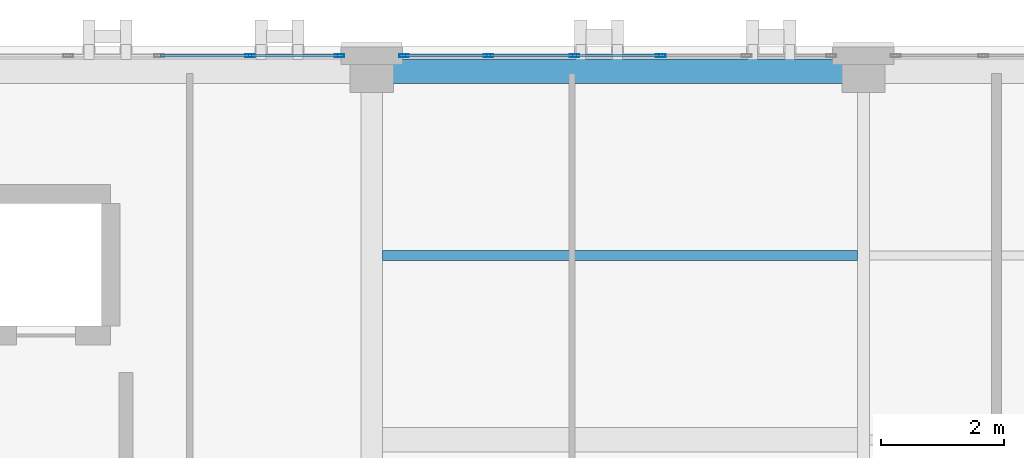
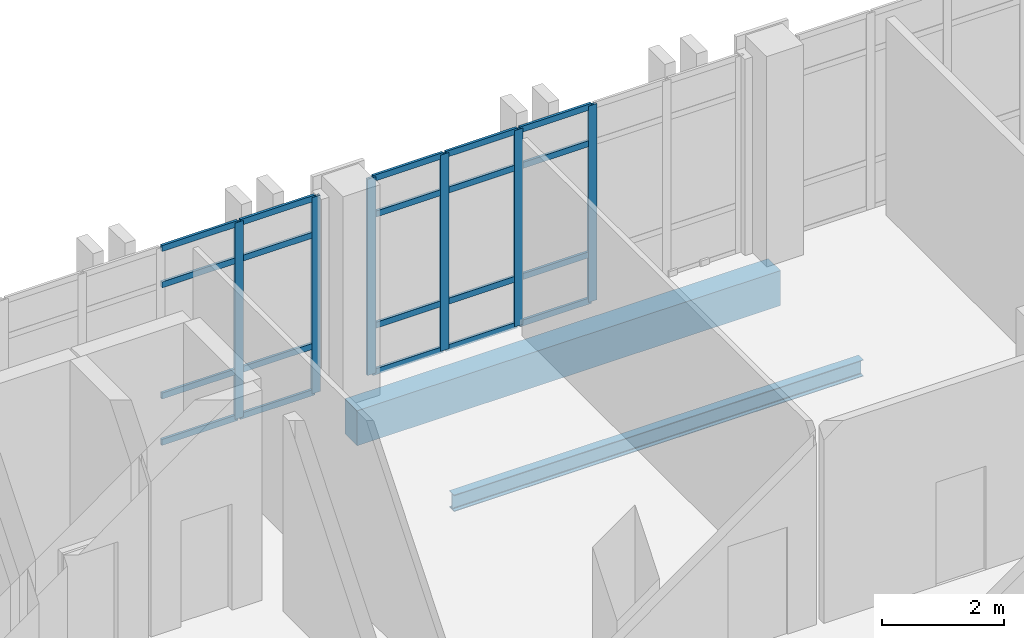
# One storey, part 93 of 165: 26 members, 2 beams, 2 elements without a shape of their own.
"""IFC4 building model written with IfcOpenShell, lengths in metres."""

from ifc_helpers import new_model, si_unit, direction, frame, origin, origin_2d, place, context, subcontext, project, spatial, rectangle, hollow_rectangle, i_section, extrude, material, layer, layer_set, material_profile, profile_set, type_object, element, aggregate, save


model = new_model("IFC4")

# Units and contexts
model_context = context("Model", 3, precision=1e-05, world=origin(), true_north=direction((0.0, 1.0)))
body_context = subcontext(model_context, "Body", "Model", "MODEL_VIEW")
ifc_project = project(units=[si_unit("LENGTHUNIT", "METRE"), si_unit("AREAUNIT", "SQUARE_METRE"), si_unit("VOLUMEUNIT", "CUBIC_METRE"), si_unit("PLANEANGLEUNIT", "RADIAN"), si_unit("MASSUNIT", "GRAM", prefix="KILO")], contexts=[model_context])

# Site, building, storey
site_placement = place(None, origin())
site = spatial("IfcSite", under=ifc_project, at=site_placement, CompositionType="ELEMENT")
building_placement = place(site_placement, origin())
building = spatial("IfcBuilding", under=site, at=building_placement, Name="Qalavern Law Courts", CompositionType="ELEMENT")
storey_placement = place(building_placement, frame((0.0, 0.0, 14.39990234375)))
storey = spatial("IfcBuildingStorey", under=building, at=storey_placement, Name="L03", CompositionType="ELEMENT", Elevation=14.39990234375)

# Curtain wall, members
ifc_material_1 = material(Name="Anodised aluminium and insulated glazing", Category="aluminium")
ifc_layer = layer(ifc_material_1, 0.166015625)
ifc_layer_set = layer_set([ifc_layer], Name="Anodised aluminium and insulated glazing")
curtain_wall_type = type_object("IfcCurtainWallType", Name="ENV-CW-LIB", PredefinedType="USERDEFINED", material=ifc_layer_set)
curtain_wall_1_placement = place(storey_placement, origin())
curtain_wall_1 = element("IfcCurtainWall", 1, at=curtain_wall_1_placement, inside=storey, type_object=curtain_wall_type, Name="V5 unitised curtain wall L03 north 4", ObjectType="UNITISED CURTAIN WALL", PredefinedType="USERDEFINED")
ifc_material_2 = material(Name="Anodised aluminium", Category="aluminium")
ifc_material_profile_1 = material_profile(ifc_material_2, hollow_rectangle(XDim=0.048095703125, YDim=0.159912109375, WallThickness=0.00390625, at=origin_2d()), Name="ALU MULLION 48x160")
ifc_profile_set_1 = profile_set([ifc_material_profile_1], Name="Anodised aluminium")
member_type_1 = type_object("IfcMemberType", Name="ENV-CWM-48x160", PredefinedType="MULLION", material=ifc_profile_set_1)
member_1_placement = place(storey_placement, frame((41.5, 112.8525390625, 0.0), z_axis=(0.0, 0.0, 1.0), x_axis=(0.0, -1.0, 0.0)))
member_1 = element("IfcMember", 2, at=member_1_placement, type_object=member_type_1, Name="CW-05 mullion 3", PredefinedType="MULLION", context=body_context, shape_type="SweptSolid", body=[
    extrude(hollow_rectangle(XDim=0.048095703125, YDim=0.159912109375, WallThickness=0.00390625, at=origin_2d()), origin(), (0.0, 0.0, 1.0), 3.920166015625),
])
member_2_placement = place(storey_placement, frame((40.10009765625, 112.8525390625, 0.0), z_axis=(0.0, 0.0, 1.0), x_axis=(0.0, -1.0, 0.0)))
member_2 = element("IfcMember", 3, at=member_2_placement, type_object=member_type_1, Name="CW-05 mullion 4", PredefinedType="MULLION", context=body_context, shape_type="SweptSolid", body=[
    extrude(hollow_rectangle(XDim=0.048095703125, YDim=0.159912109375, WallThickness=0.00390625, at=origin_2d()), origin(), (0.0, 0.0, 1.0), 3.920166015625),
])
member_3_placement = place(storey_placement, frame((38.699951171875, 112.8525390625, 0.0), z_axis=(0.0, 0.0, 1.0), x_axis=(0.0, -1.0, 0.0)))
member_3 = element("IfcMember", 4, at=member_3_placement, type_object=member_type_1, Name="CW-05 mullion 5", PredefinedType="MULLION", context=body_context, shape_type="SweptSolid", body=[
    extrude(hollow_rectangle(XDim=0.048095703125, YDim=0.159912109375, WallThickness=0.00390625, at=origin_2d()), origin(), (0.0, 0.0, 1.0), 3.920166015625),
])
member_4_placement = place(storey_placement, frame((37.323974609375, 112.8525390625, 0.0), z_axis=(0.0, 0.0, 1.0), x_axis=(0.0, -1.0, 0.0)))
member_4 = element("IfcMember", 5, at=member_4_placement, type_object=member_type_1, Name="CW-05 mullion 6", PredefinedType="MULLION", context=body_context, shape_type="SweptSolid", body=[
    extrude(hollow_rectangle(XDim=0.048095703125, YDim=0.159912109375, WallThickness=0.00390625, at=origin_2d()), origin(), (0.0, 0.0, 1.0), 3.920166015625),
])

curtain_wall_2_placement = place(storey_placement, origin())
curtain_wall_2 = element("IfcCurtainWall", 6, at=curtain_wall_2_placement, inside=storey, type_object=curtain_wall_type, Name="V5 unitised curtain wall L03 north 5", ObjectType="UNITISED CURTAIN WALL", PredefinedType="USERDEFINED")
member_5_placement = place(storey_placement, frame((36.27587890625, 112.8525390625, 0.0), z_axis=(0.0, 0.0, 1.0), x_axis=(0.0, -1.0, 0.0)))
member_5 = element("IfcMember", 7, at=member_5_placement, type_object=member_type_1, Name="CW-05 mullion 1", PredefinedType="MULLION", context=body_context, shape_type="SweptSolid", body=[
    extrude(hollow_rectangle(XDim=0.048095703125, YDim=0.159912109375, WallThickness=0.00390625, at=origin_2d()), origin(), (0.0, 0.0, 1.0), 3.920166015625),
])
member_6_placement = place(storey_placement, frame((34.820068359375, 112.8525390625, 0.0), z_axis=(0.0, 0.0, 1.0), x_axis=(0.0, -1.0, 0.0)))
member_6 = element("IfcMember", 8, at=member_6_placement, type_object=member_type_1, Name="CW-05 mullion 2", PredefinedType="MULLION", context=body_context, shape_type="SweptSolid", body=[
    extrude(hollow_rectangle(XDim=0.048095703125, YDim=0.159912109375, WallThickness=0.00390625, at=origin_2d()), origin(), (0.0, 0.0, 1.0), 3.920166015625),
])

# Member
ifc_material_profile_2 = material_profile(ifc_material_2, hollow_rectangle(XDim=0.048095703125, YDim=0.1201171875, WallThickness=0.00390625, at=origin_2d()), Name="ALU TRANSOM 48x120")
ifc_profile_set_2 = profile_set([ifc_material_profile_2], Name="Anodised aluminium")
member_type_2 = type_object("IfcMemberType", Name="ENV-CWT-48x120", PredefinedType="USERDEFINED", material=ifc_profile_set_2)
member_7_placement = place(storey_placement, frame((41.47607421875, 112.8525390625, 0.024169921875), z_axis=(-1.0, 0.0, 0.0), x_axis=(0.0, -1.0, 0.0)))
member_7 = element("IfcMember", 9, at=member_7_placement, type_object=member_type_2, Name="CW-05 transom 3.1", ObjectType="TRANSOM", PredefinedType="USERDEFINED", context=body_context, shape_type="SweptSolid", body=[
    extrude(hollow_rectangle(XDim=0.048095703125, YDim=0.1201171875, WallThickness=0.00390625, at=origin_2d()), origin(), (0.0, 0.0, 1.0), 1.35205078125),
])

member_8_placement = place(storey_placement, frame((41.47607421875, 112.8525390625, 0.9501953125), z_axis=(-1.0, 0.0, 0.0), x_axis=(0.0, -1.0, 0.0)))
member_8 = element("IfcMember", 10, at=member_8_placement, type_object=member_type_2, Name="CW-05 transom 3.2", ObjectType="TRANSOM", PredefinedType="USERDEFINED", context=body_context, shape_type="SweptSolid", body=[
    extrude(hollow_rectangle(XDim=0.048095703125, YDim=0.1201171875, WallThickness=0.00390625, at=origin_2d()), origin(), (0.0, 0.0, 1.0), 1.35205078125),
])

member_9_placement = place(storey_placement, frame((41.47607421875, 112.8525390625, 3.170166015625), z_axis=(-1.0, 0.0, 0.0), x_axis=(0.0, -1.0, 0.0)))
member_9 = element("IfcMember", 11, at=member_9_placement, type_object=member_type_2, Name="CW-05 transom 3.3", ObjectType="TRANSOM", PredefinedType="USERDEFINED", context=body_context, shape_type="SweptSolid", body=[
    extrude(hollow_rectangle(XDim=0.048095703125, YDim=0.1201171875, WallThickness=0.00390625, at=origin_2d()), origin(), (0.0, 0.0, 1.0), 1.35205078125),
])

member_10_placement = place(storey_placement, frame((41.47607421875, 112.8525390625, 3.89599609375), z_axis=(-1.0, 0.0, 0.0), x_axis=(0.0, -1.0, 0.0)))
member_10 = element("IfcMember", 12, at=member_10_placement, type_object=member_type_2, Name="CW-05 transom 3.4", ObjectType="TRANSOM", PredefinedType="USERDEFINED", context=body_context, shape_type="SweptSolid", body=[
    extrude(hollow_rectangle(XDim=0.048095703125, YDim=0.1201171875, WallThickness=0.00390625, at=origin_2d()), origin(), (0.0, 0.0, 1.0), 1.35205078125),
])

member_11_placement = place(storey_placement, frame((40.075927734375, 112.8525390625, 0.024169921875), z_axis=(-1.0, 0.0, 0.0), x_axis=(0.0, -1.0, 0.0)))
member_11 = element("IfcMember", 13, at=member_11_placement, type_object=member_type_2, Name="CW-05 transom 4.1", ObjectType="TRANSOM", PredefinedType="USERDEFINED", context=body_context, shape_type="SweptSolid", body=[
    extrude(hollow_rectangle(XDim=0.048095703125, YDim=0.1201171875, WallThickness=0.00390625, at=origin_2d()), origin(), (0.0, 0.0, 1.0), 1.351806640625),
])

member_12_placement = place(storey_placement, frame((40.075927734375, 112.8525390625, 0.9501953125), z_axis=(-1.0, 0.0, 0.0), x_axis=(0.0, -1.0, 0.0)))
member_12 = element("IfcMember", 14, at=member_12_placement, type_object=member_type_2, Name="CW-05 transom 4.2", ObjectType="TRANSOM", PredefinedType="USERDEFINED", context=body_context, shape_type="SweptSolid", body=[
    extrude(hollow_rectangle(XDim=0.048095703125, YDim=0.1201171875, WallThickness=0.00390625, at=origin_2d()), origin(), (0.0, 0.0, 1.0), 1.351806640625),
])

member_13_placement = place(storey_placement, frame((40.075927734375, 112.8525390625, 3.170166015625), z_axis=(-1.0, 0.0, 0.0), x_axis=(0.0, -1.0, 0.0)))
member_13 = element("IfcMember", 15, at=member_13_placement, type_object=member_type_2, Name="CW-05 transom 4.3", ObjectType="TRANSOM", PredefinedType="USERDEFINED", context=body_context, shape_type="SweptSolid", body=[
    extrude(hollow_rectangle(XDim=0.048095703125, YDim=0.1201171875, WallThickness=0.00390625, at=origin_2d()), origin(), (0.0, 0.0, 1.0), 1.351806640625),
])

member_14_placement = place(storey_placement, frame((40.075927734375, 112.8525390625, 3.89599609375), z_axis=(-1.0, 0.0, 0.0), x_axis=(0.0, -1.0, 0.0)))
member_14 = element("IfcMember", 16, at=member_14_placement, type_object=member_type_2, Name="CW-05 transom 4.4", ObjectType="TRANSOM", PredefinedType="USERDEFINED", context=body_context, shape_type="SweptSolid", body=[
    extrude(hollow_rectangle(XDim=0.048095703125, YDim=0.1201171875, WallThickness=0.00390625, at=origin_2d()), origin(), (0.0, 0.0, 1.0), 1.351806640625),
])

member_15_placement = place(storey_placement, frame((38.676025390625, 112.8525390625, 0.024169921875), z_axis=(-1.0, 0.0, 0.0), x_axis=(0.0, -1.0, 0.0)))
member_15 = element("IfcMember", 17, at=member_15_placement, type_object=member_type_2, Name="CW-05 transom 5.1", ObjectType="TRANSOM", PredefinedType="USERDEFINED", context=body_context, shape_type="SweptSolid", body=[
    extrude(hollow_rectangle(XDim=0.048095703125, YDim=0.1201171875, WallThickness=0.00390625, at=origin_2d()), origin(), (0.0, 0.0, 1.0), 1.328125),
])

member_16_placement = place(storey_placement, frame((38.676025390625, 112.8525390625, 0.9501953125), z_axis=(-1.0, 0.0, 0.0), x_axis=(0.0, -1.0, 0.0)))
member_16 = element("IfcMember", 18, at=member_16_placement, type_object=member_type_2, Name="CW-05 transom 5.2", ObjectType="TRANSOM", PredefinedType="USERDEFINED", context=body_context, shape_type="SweptSolid", body=[
    extrude(hollow_rectangle(XDim=0.048095703125, YDim=0.1201171875, WallThickness=0.00390625, at=origin_2d()), origin(), (0.0, 0.0, 1.0), 1.328125),
])

member_17_placement = place(storey_placement, frame((38.676025390625, 112.8525390625, 3.170166015625), z_axis=(-1.0, 0.0, 0.0), x_axis=(0.0, -1.0, 0.0)))
member_17 = element("IfcMember", 19, at=member_17_placement, type_object=member_type_2, Name="CW-05 transom 5.3", ObjectType="TRANSOM", PredefinedType="USERDEFINED", context=body_context, shape_type="SweptSolid", body=[
    extrude(hollow_rectangle(XDim=0.048095703125, YDim=0.1201171875, WallThickness=0.00390625, at=origin_2d()), origin(), (0.0, 0.0, 1.0), 1.328125),
])

member_18_placement = place(storey_placement, frame((38.676025390625, 112.8525390625, 3.89599609375), z_axis=(-1.0, 0.0, 0.0), x_axis=(0.0, -1.0, 0.0)))
member_18 = element("IfcMember", 20, at=member_18_placement, type_object=member_type_2, Name="CW-05 transom 5.4", ObjectType="TRANSOM", PredefinedType="USERDEFINED", context=body_context, shape_type="SweptSolid", body=[
    extrude(hollow_rectangle(XDim=0.048095703125, YDim=0.1201171875, WallThickness=0.00390625, at=origin_2d()), origin(), (0.0, 0.0, 1.0), 1.328125),
])

aggregate(curtain_wall_1, [member_1, member_2, member_3, member_4, member_7, member_8, member_9, member_10, member_11, member_12, member_13, member_14, member_15, member_16, member_17, member_18])

member_19_placement = place(storey_placement, frame((36.251953125, 112.8525390625, 0.024169921875), z_axis=(-1.0, 0.0, 0.0), x_axis=(0.0, -1.0, 0.0)))
member_19 = element("IfcMember", 21, at=member_19_placement, type_object=member_type_2, Name="CW-05 transom 1.1", ObjectType="TRANSOM", PredefinedType="USERDEFINED", context=body_context, shape_type="SweptSolid", body=[
    extrude(hollow_rectangle(XDim=0.048095703125, YDim=0.1201171875, WallThickness=0.00390625, at=origin_2d()), origin(), (0.0, 0.0, 1.0), 1.407958984375),
])

member_20_placement = place(storey_placement, frame((36.251953125, 112.8525390625, 0.9501953125), z_axis=(-1.0, 0.0, 0.0), x_axis=(0.0, -1.0, 0.0)))
member_20 = element("IfcMember", 22, at=member_20_placement, type_object=member_type_2, Name="CW-05 transom 1.2", ObjectType="TRANSOM", PredefinedType="USERDEFINED", context=body_context, shape_type="SweptSolid", body=[
    extrude(hollow_rectangle(XDim=0.048095703125, YDim=0.1201171875, WallThickness=0.00390625, at=origin_2d()), origin(), (0.0, 0.0, 1.0), 1.407958984375),
])

member_21_placement = place(storey_placement, frame((36.251953125, 112.8525390625, 3.170166015625), z_axis=(-1.0, 0.0, 0.0), x_axis=(0.0, -1.0, 0.0)))
member_21 = element("IfcMember", 23, at=member_21_placement, type_object=member_type_2, Name="CW-05 transom 1.3", ObjectType="TRANSOM", PredefinedType="USERDEFINED", context=body_context, shape_type="SweptSolid", body=[
    extrude(hollow_rectangle(XDim=0.048095703125, YDim=0.1201171875, WallThickness=0.00390625, at=origin_2d()), origin(), (0.0, 0.0, 1.0), 1.407958984375),
])

member_22_placement = place(storey_placement, frame((36.251953125, 112.8525390625, 3.89599609375), z_axis=(-1.0, 0.0, 0.0), x_axis=(0.0, -1.0, 0.0)))
member_22 = element("IfcMember", 24, at=member_22_placement, type_object=member_type_2, Name="CW-05 transom 1.4", ObjectType="TRANSOM", PredefinedType="USERDEFINED", context=body_context, shape_type="SweptSolid", body=[
    extrude(hollow_rectangle(XDim=0.048095703125, YDim=0.1201171875, WallThickness=0.00390625, at=origin_2d()), origin(), (0.0, 0.0, 1.0), 1.407958984375),
])

member_23_placement = place(storey_placement, frame((34.7958984375, 112.8525390625, 0.024169921875), z_axis=(-1.0, 0.0, 0.0), x_axis=(0.0, -1.0, 0.0)))
member_23 = element("IfcMember", 25, at=member_23_placement, type_object=member_type_2, Name="CW-05 transom 2.1", ObjectType="TRANSOM", PredefinedType="USERDEFINED", context=body_context, shape_type="SweptSolid", body=[
    extrude(hollow_rectangle(XDim=0.048095703125, YDim=0.1201171875, WallThickness=0.00390625, at=origin_2d()), origin(), (0.0, 0.0, 1.0), 1.431884765625),
])

member_24_placement = place(storey_placement, frame((34.7958984375, 112.8525390625, 0.9501953125), z_axis=(-1.0, 0.0, 0.0), x_axis=(0.0, -1.0, 0.0)))
member_24 = element("IfcMember", 26, at=member_24_placement, type_object=member_type_2, Name="CW-05 transom 2.2", ObjectType="TRANSOM", PredefinedType="USERDEFINED", context=body_context, shape_type="SweptSolid", body=[
    extrude(hollow_rectangle(XDim=0.048095703125, YDim=0.1201171875, WallThickness=0.00390625, at=origin_2d()), origin(), (0.0, 0.0, 1.0), 1.431884765625),
])

member_25_placement = place(storey_placement, frame((34.7958984375, 112.8525390625, 3.170166015625), z_axis=(-1.0, 0.0, 0.0), x_axis=(0.0, -1.0, 0.0)))
member_25 = element("IfcMember", 27, at=member_25_placement, type_object=member_type_2, Name="CW-05 transom 2.3", ObjectType="TRANSOM", PredefinedType="USERDEFINED", context=body_context, shape_type="SweptSolid", body=[
    extrude(hollow_rectangle(XDim=0.048095703125, YDim=0.1201171875, WallThickness=0.00390625, at=origin_2d()), origin(), (0.0, 0.0, 1.0), 1.431884765625),
])

member_26_placement = place(storey_placement, frame((34.7958984375, 112.8525390625, 3.89599609375), z_axis=(-1.0, 0.0, 0.0), x_axis=(0.0, -1.0, 0.0)))
member_26 = element("IfcMember", 28, at=member_26_placement, type_object=member_type_2, Name="CW-05 transom 2.4", ObjectType="TRANSOM", PredefinedType="USERDEFINED", context=body_context, shape_type="SweptSolid", body=[
    extrude(hollow_rectangle(XDim=0.048095703125, YDim=0.1201171875, WallThickness=0.00390625, at=origin_2d()), origin(), (0.0, 0.0, 1.0), 1.431884765625),
])

aggregate(curtain_wall_2, [member_5, member_6, member_19, member_20, member_21, member_22, member_23, member_24, member_25, member_26])

# Beams
ifc_material_3 = material(Name="Steel S355", Category="steel")
ifc_material_profile_3 = material_profile(ifc_material_3, i_section(OverallWidth=0.159912109375, OverallDepth=0.330078125, WebThickness=0.007568359375, FlangeThickness=0.011474609375, FilletRadius=0.01806640625, at=origin_2d()), Name="IPE 330")
ifc_profile_set_3 = profile_set([ifc_material_profile_3], Name="Steel S355")
beam_type_1 = type_object("IfcBeamType", Name="STR-JST-IPE330", PredefinedType="JOIST", material=ifc_profile_set_3)
beam_1_placement = place(storey_placement, frame((36.972900390625, 109.60009765625, -0.449951171875), z_axis=(1.0, 0.0, 0.0), x_axis=(0.0, 1.0, 0.0)))
element("IfcBeam", 29, at=beam_1_placement, inside=storey, type_object=beam_type_1, Name="V5 secondary joist 5.2.2 L03", PredefinedType="JOIST", context=body_context, shape_type="SweptSolid", body=[
    extrude(i_section(OverallWidth=0.159912109375, OverallDepth=0.330078125, WebThickness=0.007568359375, FlangeThickness=0.011474609375, FilletRadius=0.01806640625, at=origin_2d()), origin(), (0.0, 0.0, 1.0), 7.72900390625),
])
ifc_material_4 = material(Name="Concrete C40/50", Category="concrete")
ifc_material_profile_4 = material_profile(ifc_material_4, rectangle(XDim=0.39990234375, YDim=0.699951171875, at=origin_2d()), Name="RC 400x700")
ifc_profile_set_4 = profile_set([ifc_material_profile_4], Name="Concrete C40/50")
beam_type_2 = type_object("IfcBeamType", Name="STR-SP-RC400x700", PredefinedType="SPANDREL", material=ifc_profile_set_4)
beam_2_placement = place(storey_placement, frame((36.800048828125, 112.60009765625, -0.635009765625), z_axis=(1.0, 0.0, 0.0), x_axis=(0.0, 1.0, 0.0)))
element("IfcBeam", 30, at=beam_2_placement, inside=storey, type_object=beam_type_2, Name="V5 X-beam 3-5 L03", PredefinedType="SPANDREL", context=body_context, shape_type="SweptSolid", body=[
    extrude(rectangle(XDim=0.39990234375, YDim=0.699951171875, at=origin_2d()), origin(), (0.0, 0.0, 1.0), 8.0),
])

save(model, "model.ifc")
